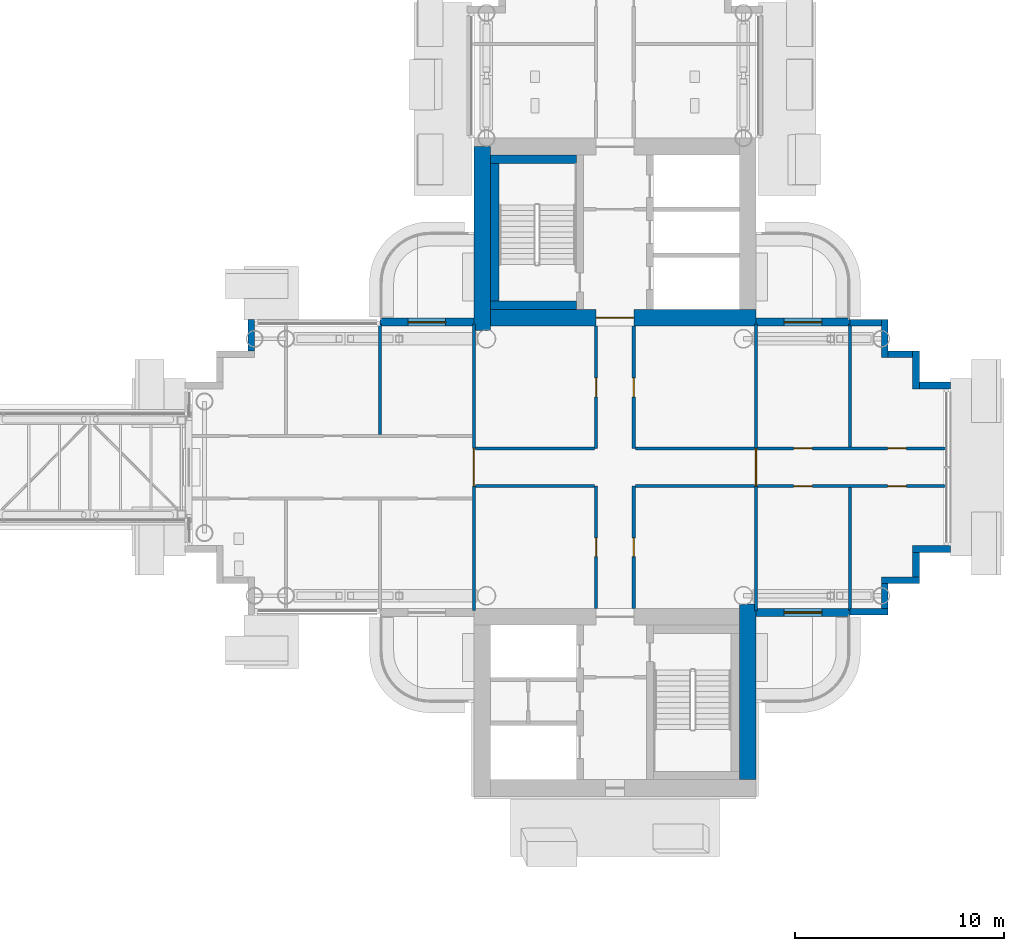
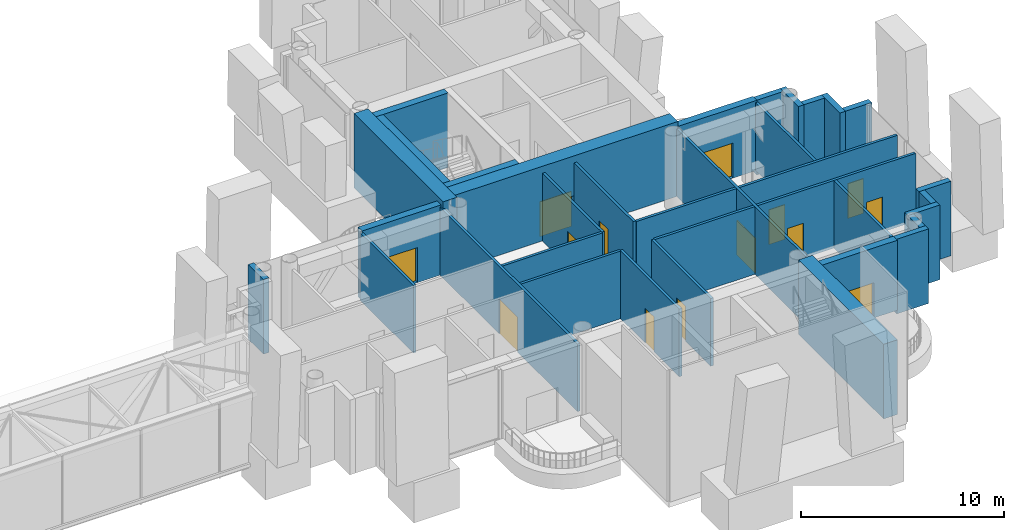
# One storey, part 16 of 26: 35 walls, 14 doors, 14 openings.
"""IFC4 building model written with IfcOpenShell, lengths in metres."""

import ifcopenshell
import ifcopenshell.guid

model = None  # the IFC model being written
_history = None  # IfcOwnerHistory: only IFC2X3 demands one
_inside = {}  # id of a spatial element -> (the spatial element, [elements in it])
_under = {}  # id of a project, library or spatial element -> (it, [spatial elements below it])
_declared = {}  # id of a project -> (the project, [libraries it declares])
_typed = {}  # id of a type object -> (the type object, [elements of that type])
_made_of = {}  # id of a material, layer set ... -> (it, [elements and type objects made of it])


def new_model(schema):
    """Start an empty IFC model of exactly this schema.

    Asked for "IFC4X3", IfcOpenShell would pick the latest addendum, in which some entities
    have other attributes; the version numbers below select the first issue.
    IFC2X3 requires an IfcOwnerHistory on every rooted entity: one is made here for all.
    """
    global model, _history
    if schema == "IFC4X3":
        model = ifcopenshell.file(schema_version=(4, 3, 0, 0))
    else:
        model = ifcopenshell.file(schema=schema)
    _inside.clear()
    _under.clear()
    _declared.clear()
    _typed.clear()
    _made_of.clear()
    _history = None
    if model.schema == "IFC2X3":
        org = make("IfcOrganization", Name="unknown")
        user = make(
            "IfcPersonAndOrganization",
            ThePerson=make("IfcPerson", FamilyName="unknown"),
            TheOrganization=org,
        )
        app = make(
            "IfcApplication",
            ApplicationDeveloper=org,
            Version="unknown",
            ApplicationFullName="unknown",
            ApplicationIdentifier="unknown",
        )
        _history = make(
            "IfcOwnerHistory",
            OwningUser=user,
            OwningApplication=app,
            ChangeAction="ADDED",
            CreationDate=0,
        )
    return model


def make(cls, **values):
    """One entity of the class cls with the attributes given. An attribute that is None is left unset."""
    return model.create_entity(
        cls, **{name: value for name, value in values.items() if value is not None}
    )


def rooted(cls, **values):
    """An entity with a GlobalId (a new one), such as an element, a storey or a relation."""
    return make(cls, GlobalId=ifcopenshell.guid.new(), OwnerHistory=_history, **values)


def si_unit(unit_type, name, prefix=None):
    """IfcSIUnit, for example si_unit("LENGTHUNIT", "METRE", prefix="MILLI")."""
    return make("IfcSIUnit", UnitType=unit_type, Prefix=prefix, Name=name)


def assignment(units):
    """IfcUnitAssignment: the units of a project."""
    return None if units is None else make("IfcUnitAssignment", Units=units)


def point(xyz):
    """IfcCartesianPoint."""
    return None if xyz is None else make("IfcCartesianPoint", Coordinates=xyz)


def direction(xyz):
    """IfcDirection."""
    return None if xyz is None else make("IfcDirection", DirectionRatios=xyz)


def frame(location, z_axis=None, x_axis=None):
    """IfcAxis2Placement3D, a coordinate frame: its origin and axes. An axis left out is left unset."""
    return make(
        "IfcAxis2Placement3D",
        Location=point(location),
        Axis=direction(z_axis),
        RefDirection=direction(x_axis),
    )


def frame_2d(location, x_axis=None):
    """IfcAxis2Placement2D, a coordinate frame in the plane: its origin and x axis."""
    return make(
        "IfcAxis2Placement2D", Location=point(location), RefDirection=direction(x_axis)
    )


def origin():
    """The frame at (0, 0, 0) with its axes left unset."""
    return frame((0.0, 0.0, 0.0))


def place(relative_to, where):
    """IfcLocalPlacement: puts the frame where relative to a parent placement (None: the world)."""
    return make(
        "IfcLocalPlacement", PlacementRelTo=relative_to, RelativePlacement=where
    )


def context(
    kind, dimensions, precision=None, world=None, true_north=None, identifier=None
):
    """IfcGeometricRepresentationContext, for example the 3D "Model" context."""
    return make(
        "IfcGeometricRepresentationContext",
        ContextIdentifier=identifier,
        ContextType=kind,
        CoordinateSpaceDimension=dimensions,
        Precision=precision,
        WorldCoordinateSystem=world,
        TrueNorth=true_north,
    )


def subcontext(parent, identifier, kind, view, scale=None):
    """IfcGeometricRepresentationSubContext, for example "Body" below "Model"."""
    return make(
        "IfcGeometricRepresentationSubContext",
        ContextIdentifier=identifier,
        ContextType=kind,
        ParentContext=parent,
        TargetScale=scale,
        TargetView=view,
    )


def project(units=None, contexts=None):
    """IfcProject with its units and contexts."""
    return rooted(
        "IfcProject",
        Name="project",
        RepresentationContexts=contexts,
        UnitsInContext=assignment(units),
    )


def spatial(cls, under=None, at=None, **own):
    """A site, building, storey or space (cls), placed at a placement, below another one or the project."""
    s = rooted(cls, ObjectPlacement=at, **own)
    if under is not None:
        _under.setdefault(under.id(), (under, []))[1].append(s)
    return s


def profile(cls, at=None, kind="AREA", **sizes):
    """A parametric profile (cls). Its sizes go by their IFC names, for example OverallWidth=200.0."""
    return make(cls, ProfileType=kind, Position=at, **sizes)


def rectangle(**sizes):
    """IfcRectangleProfileDef."""
    return profile("IfcRectangleProfileDef", **sizes)


def extrude(swept, where, along, depth):
    """IfcExtrudedAreaSolid: the profile swept, set in the frame where, extruded along a direction by depth."""
    return make(
        "IfcExtrudedAreaSolid",
        SweptArea=swept,
        Position=where,
        ExtrudedDirection=direction(along),
        Depth=depth,
    )


def shape(context_of_items, identifier, shape_type, items):
    """IfcShapeRepresentation: the items that make up one representation, for example the "Body"."""
    return make(
        "IfcShapeRepresentation",
        ContextOfItems=context_of_items,
        RepresentationIdentifier=identifier,
        RepresentationType=shape_type,
        Items=items,
    )


def material(Name=None, Category=None):
    """IfcMaterial."""
    return make("IfcMaterial", Name=Name, Category=Category)


def layer(
    of_material, thickness, ventilated=None, Name=None, Category=None, Priority=None
):
    """IfcMaterialLayer: one layer of a wall or slab, of a material (None: an air gap)."""
    return make(
        "IfcMaterialLayer",
        Material=of_material,
        LayerThickness=thickness,
        IsVentilated=ventilated,
        Name=Name,
        Category=Category,
        Priority=Priority,
    )


def layer_set(layers, Name=None):
    """IfcMaterialLayerSet."""
    return make("IfcMaterialLayerSet", MaterialLayers=layers, LayerSetName=Name)


def made_of(thing, what):
    """Note that an element or type object is made of a material, layer set ...; save() writes the relation."""
    if what is not None:
        _made_of.setdefault(what.id(), (what, []))[1].append(thing)
    return thing


def type_object(cls, material=None, **own):
    """A type object (cls), such as IfcWallType, which elements share."""
    return made_of(rooted(cls, **own), material)


def element(
    cls,
    number,
    at=None,
    inside=None,
    cuts=None,
    type_object=None,
    material=None,
    context=None,
    identifier="Body",
    shape_type=None,
    held_by="IfcProductDefinitionShape",
    body=None,
    shapes=None,
    **own,
):
    """One element of the class cls, such as IfcWall. Its Tag is "e" and its number.

    at: its placement. inside: the storey or other place that contains it. cuts: it is an
    opening in that element (IfcRelVoidsElement). A single representation is given by context,
    identifier, shape_type and body (its items); several are given by shapes. held_by: the class
    of the entity that holds the representations. save() writes the other relations.
    """
    e = rooted(cls, Tag="e%d" % number, ObjectPlacement=at, **own)
    if body is not None:
        shapes = [shape(context, identifier, shape_type, body)]
    if shapes is not None:
        e.Representation = make(held_by, Representations=shapes)
    if inside is not None:
        _inside.setdefault(inside.id(), (inside, []))[1].append(e)
    if cuts is not None:
        rooted(
            "IfcRelVoidsElement", RelatingBuildingElement=cuts, RelatedOpeningElement=e
        )
    if type_object is not None:
        _typed.setdefault(type_object.id(), (type_object, []))[1].append(e)
    return made_of(e, material)


def fill(opening, filler):
    """IfcRelFillsElement: the door or window that sits in an opening."""
    return rooted(
        "IfcRelFillsElement",
        RelatingOpeningElement=opening,
        RelatedBuildingElement=filler,
    )


def aggregate(whole, parts):
    """IfcRelAggregates: a whole, such as a stair, and the parts it consists of."""
    return rooted("IfcRelAggregates", RelatingObject=whole, RelatedObjects=parts)


def save(model, path):
    """Write the relations noted so far, then the file.

    IfcRelAggregates (storeys below a building ...), IfcRelContainedInSpatialStructure (elements
    in a storey), IfcRelDefinesByType, IfcRelAssociatesMaterial and IfcRelDeclares: one each for
    every whole, place, type object, material and project.
    """
    for whole, parts in _under.values():
        aggregate(whole, parts)
    for where, things in _inside.values():
        rooted(
            "IfcRelContainedInSpatialStructure",
            RelatedElements=things,
            RelatingStructure=where,
        )
    for kind, things in _typed.values():
        rooted("IfcRelDefinesByType", RelatedObjects=things, RelatingType=kind)
    for what, things in _made_of.values():
        rooted("IfcRelAssociatesMaterial", RelatedObjects=things, RelatingMaterial=what)
    for by, libraries in _declared.values():
        rooted("IfcRelDeclares", RelatingContext=by, RelatedDefinitions=libraries)
    model.write(path)


model = new_model("IFC4")

# Units and contexts
model_context = context("Model", 3, precision=1e-05, world=origin(), true_north=direction((0.0, 1.0)))
body_context = subcontext(model_context, "Body", "Model", "MODEL_VIEW")
ifc_project = project(units=[si_unit("LENGTHUNIT", "METRE"), si_unit("AREAUNIT", "SQUARE_METRE"), si_unit("VOLUMEUNIT", "CUBIC_METRE"), si_unit("PLANEANGLEUNIT", "RADIAN"), si_unit("MASSUNIT", "GRAM", prefix="KILO")], contexts=[model_context])

# Site, building, storey
site_placement = place(None, origin())
site = spatial("IfcSite", under=ifc_project, at=site_placement, CompositionType="ELEMENT")
building_placement = place(site_placement, origin())
building = spatial("IfcBuilding", under=site, at=building_placement, Name="Ipe Terrace Towers", CompositionType="ELEMENT")
storey_placement = place(building_placement, frame((0.0, 0.0, 181.300048828125)))
storey = spatial("IfcBuildingStorey", under=building, at=storey_placement, Name="L50", CompositionType="ELEMENT", Elevation=181.300048828125)

# Wall, opening, door
ifc_material_1 = material(Name="Concrete C40/50 with buff precast cladding", Category="concrete")
ifc_layer_1 = layer(ifc_material_1, 0.39990234375)
ifc_layer_set_1 = layer_set([ifc_layer_1], Name="BALCONY BAY WALL 400")
wall_type_1 = type_object("IfcWallType", Name="BALCONY BAY WALL 400", PredefinedType="STANDARD", material=ifc_layer_set_1)
wall_1_placement = place(storey_placement, frame((42.75, -6.949951171875, -0.02001953125), z_axis=(0.0, 0.0, 1.0), x_axis=(1.0, 0.0, 0.0)))
wall_1 = element("IfcWall", 1, at=wall_1_placement, inside=storey, type_object=wall_type_1, Name="T2-W-L50-02a wall", PredefinedType="STANDARD", context=body_context, shape_type="SweptSolid", body=[
    extrude(rectangle(XDim=4.5, YDim=0.39990234375, at=frame_2d((2.25, 0.0))), origin(), (0.0, 0.0, 1.0), 4.219970703125),
])
opening_1_placement = place(wall_1_placement, frame((1.35009765625, 0.0, 0.02001953125)))
opening_1 = element("IfcOpeningElement", 2, at=opening_1_placement, cuts=wall_1, Name="Opening T2-D-L50-02", PredefinedType="OPENING", context=body_context, shape_type="SweptSolid", body=[
    extrude(rectangle(XDim=1.800048828125, YDim=2.10009765625, at=frame_2d((0.89990234375, 1.050048828125))), frame((0.0, 0.2099609375, 0.0), z_axis=(0.0, -1.0, 0.0), x_axis=(1.0, 0.0, 0.0)), (0.0, 0.0, 1.0), 0.419921875),
])
ifc_material_2 = material(Name="Aluminium alloy 6063-T6 framed glazed door", Category="aluminium")
door_type_1 = type_object("IfcDoorType", Name="BALCONY DOOR 1800 x 2100 RIGHT", OperationType="SINGLE_SWING_RIGHT", PredefinedType="DOOR", material=ifc_material_2)
door_1_placement = place(opening_1_placement, origin())
door_1 = element("IfcDoor", 3, at=door_1_placement, inside=storey, type_object=door_type_1, Name="DB2 door", OperationType="SINGLE_SWING_RIGHT", OverallHeight=2.10009765625, OverallWidth=1.800048828125, PredefinedType="DOOR", context=body_context, shape_type="SweptSolid", body=[
    extrude(rectangle(XDim=1.800048828125, YDim=2.10009765625, at=frame_2d((0.89990234375, 1.050048828125))), frame((0.0, 0.02490234375, 0.0), z_axis=(0.0, -1.0, 0.0), x_axis=(1.0, 0.0, 0.0)), (0.0, 0.0, 1.0), 0.050048828125),
])
fill(opening_1, door_1)

wall_2_placement = place(storey_placement, frame((47.25, 6.949951171875, -0.02001953125), z_axis=(0.0, 0.0, 1.0), x_axis=(-1.0, 0.0, 0.0)))
wall_2 = element("IfcWall", 4, at=wall_2_placement, inside=storey, type_object=wall_type_1, Name="T2-W-L50-14a wall", PredefinedType="STANDARD", context=body_context, shape_type="SweptSolid", body=[
    extrude(rectangle(XDim=4.5, YDim=0.39990234375, at=frame_2d((2.25, 0.0))), origin(), (0.0, 0.0, 1.0), 4.219970703125),
])
opening_2_placement = place(wall_2_placement, frame((1.35009765625, 0.0, 0.02001953125)))
opening_2 = element("IfcOpeningElement", 5, at=opening_2_placement, cuts=wall_2, Name="Opening T2-D-L50-14", PredefinedType="OPENING", context=body_context, shape_type="SweptSolid", body=[
    extrude(rectangle(XDim=1.800048828125, YDim=2.10009765625, at=frame_2d((0.89990234375, 1.050048828125))), frame((0.0, 0.2099609375, 0.0), z_axis=(0.0, -1.0, 0.0), x_axis=(1.0, 0.0, 0.0)), (0.0, 0.0, 1.0), 0.419921875),
])
door_2_placement = place(opening_2_placement, origin())
door_2 = element("IfcDoor", 6, at=door_2_placement, inside=storey, type_object=door_type_1, Name="DB2 door", OperationType="SINGLE_SWING_RIGHT", OverallHeight=2.10009765625, OverallWidth=1.800048828125, PredefinedType="DOOR", context=body_context, shape_type="SweptSolid", body=[
    extrude(rectangle(XDim=1.800048828125, YDim=2.10009765625, at=frame_2d((0.89990234375, 1.050048828125))), frame((0.0, 0.02490234375, 0.0), z_axis=(0.0, -1.0, 0.0), x_axis=(1.0, 0.0, 0.0)), (0.0, 0.0, 1.0), 0.050048828125),
])
fill(opening_2, door_2)

wall_3_placement = place(storey_placement, frame((29.25, 6.949951171875, -0.02001953125), z_axis=(0.0, 0.0, 1.0), x_axis=(-1.0, 0.0, 0.0)))
wall_3 = element("IfcWall", 7, at=wall_3_placement, inside=storey, type_object=wall_type_1, Name="T2-W-L50-28a wall", PredefinedType="STANDARD", context=body_context, shape_type="SweptSolid", body=[
    extrude(rectangle(XDim=4.5, YDim=0.39990234375, at=frame_2d((2.25, 0.0))), origin(), (0.0, 0.0, 1.0), 4.219970703125),
])
opening_3_placement = place(wall_3_placement, frame((1.35009765625, 0.0, 0.02001953125)))
opening_3 = element("IfcOpeningElement", 8, at=opening_3_placement, cuts=wall_3, Name="Opening T2-D-L50-28", PredefinedType="OPENING", context=body_context, shape_type="SweptSolid", body=[
    extrude(rectangle(XDim=1.800048828125, YDim=2.10009765625, at=frame_2d((0.89990234375, 1.050048828125))), frame((0.0, 0.2099609375, 0.0), z_axis=(0.0, -1.0, 0.0), x_axis=(1.0, 0.0, 0.0)), (0.0, 0.0, 1.0), 0.419921875),
])
door_3_placement = place(opening_3_placement, origin())
door_3 = element("IfcDoor", 9, at=door_3_placement, inside=storey, type_object=door_type_1, Name="DB2 door", OperationType="SINGLE_SWING_RIGHT", OverallHeight=2.10009765625, OverallWidth=1.800048828125, PredefinedType="DOOR", context=body_context, shape_type="SweptSolid", body=[
    extrude(rectangle(XDim=1.800048828125, YDim=2.10009765625, at=frame_2d((0.89990234375, 1.050048828125))), frame((0.0, 0.02490234375, 0.0), z_axis=(0.0, -1.0, 0.0), x_axis=(1.0, 0.0, 0.0)), (0.0, 0.0, 1.0), 0.050048828125),
])
fill(opening_3, door_3)

# Walls
ifc_material_3 = material(Name="Concrete C40/50 with buff precast cladding", Category="concrete")
ifc_layer_2 = layer(ifc_material_3, 0.320068359375)
ifc_layer_set_2 = layer_set([ifc_layer_2], Name="BUFF CLADDING WALL 320")
wall_type_2 = type_object("IfcWallType", Name="BUFF CLADDING WALL 320", PredefinedType="STANDARD", material=ifc_layer_set_2)
wall_4_placement = place(storey_placement, frame((47.25, -6.909912109375, -0.300048828125), z_axis=(0.0, 0.0, 1.0), x_axis=(1.0, 0.0, 0.0)))
element("IfcWall", 10, at=wall_4_placement, inside=storey, type_object=wall_type_2, Name="T2-W-L50-03a wall", PredefinedType="STANDARD", context=body_context, shape_type="SweptSolid", body=[
    extrude(rectangle(XDim=1.820068359375, YDim=0.320068359375, at=frame_2d((0.91015625, 0.0))), origin(), (0.0, 0.0, 1.0), 4.5),
])
wall_5_placement = place(storey_placement, frame((48.909912109375, -6.75, -0.300048828125), z_axis=(0.0, 0.0, 1.0), x_axis=(0.0, 1.0, 0.0)))
element("IfcWall", 11, at=wall_5_placement, inside=storey, type_object=wall_type_2, Name="T2-W-L50-04a wall", PredefinedType="STANDARD", context=body_context, shape_type="SweptSolid", body=[
    extrude(rectangle(XDim=1.179931640625, YDim=0.320068359375, at=frame_2d((0.58984375, 0.0))), origin(), (0.0, 0.0, 1.0), 4.5),
])
wall_6_placement = place(storey_placement, frame((48.75, -5.409912109375, -0.300048828125), z_axis=(0.0, 0.0, 1.0), x_axis=(1.0, 0.0, 0.0)))
element("IfcWall", 12, at=wall_6_placement, inside=storey, type_object=wall_type_2, Name="T2-W-L50-05a wall", PredefinedType="STANDARD", context=body_context, shape_type="SweptSolid", body=[
    extrude(rectangle(XDim=1.820068359375, YDim=0.320068359375, at=frame_2d((0.91015625, 0.0))), origin(), (0.0, 0.0, 1.0), 4.5),
])
wall_7_placement = place(storey_placement, frame((50.409912109375, -5.25, -0.300048828125), z_axis=(0.0, 0.0, 1.0), x_axis=(0.0, 1.0, 0.0)))
element("IfcWall", 13, at=wall_7_placement, inside=storey, type_object=wall_type_2, Name="T2-W-L50-06a wall", PredefinedType="STANDARD", context=body_context, shape_type="SweptSolid", body=[
    extrude(rectangle(XDim=1.179931640625, YDim=0.320068359375, at=frame_2d((0.58984375, 0.0))), origin(), (0.0, 0.0, 1.0), 4.5),
])
wall_8_placement = place(storey_placement, frame((50.25, -3.909912109375, -0.300048828125), z_axis=(0.0, 0.0, 1.0), x_axis=(1.0, 0.0, 0.0)))
element("IfcWall", 14, at=wall_8_placement, inside=storey, type_object=wall_type_2, Name="T2-W-L50-07a wall", PredefinedType="STANDARD", context=body_context, shape_type="SweptSolid", body=[
    extrude(rectangle(XDim=1.820068359375, YDim=0.320068359375, at=frame_2d((0.91015625, 0.0))), origin(), (0.0, 0.0, 1.0), 4.5),
])
wall_9_placement = place(storey_placement, frame((52.070068359375, 3.909912109375, -0.300048828125), z_axis=(0.0, 0.0, 1.0), x_axis=(-1.0, 0.0, 0.0)))
element("IfcWall", 15, at=wall_9_placement, inside=storey, type_object=wall_type_2, Name="T2-W-L50-09a wall", PredefinedType="STANDARD", context=body_context, shape_type="SweptSolid", body=[
    extrude(rectangle(XDim=1.5, YDim=0.320068359375, at=frame_2d((0.75, 0.0))), origin(), (0.0, 0.0, 1.0), 4.5),
])
wall_10_placement = place(storey_placement, frame((50.409912109375, 3.75, -0.300048828125), z_axis=(0.0, 0.0, 1.0), x_axis=(0.0, 1.0, 0.0)))
element("IfcWall", 16, at=wall_10_placement, inside=storey, type_object=wall_type_2, Name="T2-W-L50-10a wall", PredefinedType="STANDARD", context=body_context, shape_type="SweptSolid", body=[
    extrude(rectangle(XDim=1.820068359375, YDim=0.320068359375, at=frame_2d((0.91015625, 0.0))), origin(), (0.0, 0.0, 1.0), 4.5),
])
wall_11_placement = place(storey_placement, frame((50.25, 5.409912109375, -0.300048828125), z_axis=(0.0, 0.0, 1.0), x_axis=(-1.0, 0.0, 0.0)))
element("IfcWall", 17, at=wall_11_placement, inside=storey, type_object=wall_type_2, Name="T2-W-L50-11a wall", PredefinedType="STANDARD", context=body_context, shape_type="SweptSolid", body=[
    extrude(rectangle(XDim=1.179931640625, YDim=0.320068359375, at=frame_2d((0.58984375, 0.0))), origin(), (0.0, 0.0, 1.0), 4.5),
])
wall_12_placement = place(storey_placement, frame((48.909912109375, 5.25, -0.300048828125), z_axis=(0.0, 0.0, 1.0), x_axis=(0.0, 1.0, 0.0)))
element("IfcWall", 18, at=wall_12_placement, inside=storey, type_object=wall_type_2, Name="T2-W-L50-12a wall", PredefinedType="STANDARD", context=body_context, shape_type="SweptSolid", body=[
    extrude(rectangle(XDim=1.820068359375, YDim=0.320068359375, at=frame_2d((0.91015625, 0.0))), origin(), (0.0, 0.0, 1.0), 4.5),
])
for number, where, z_axis, x_axis, name in (
    (19, (48.75, 6.909912109375, -0.300048828125), (0.0, 0.0, 1.0), (-1.0, 0.0, 0.0), "T2-W-L50-13a wall"),
    (20, (18.590087890625, 7.070068359375, -0.300048828125), (0.0, 0.0, 1.0), (0.0, -1.0, 0.0), "T2-W-L50-30a wall"),
):
    element("IfcWall", number, at=place(storey_placement, frame(where, z_axis=z_axis, x_axis=x_axis)), inside=storey, type_object=wall_type_2, Name=name, PredefinedType="STANDARD", context=body_context, shape_type="SweptSolid", body=[
        extrude(rectangle(XDim=1.5, YDim=0.320068359375, at=frame_2d((0.75, 0.0))), origin(), (0.0, 0.0, 1.0), 4.5),
    ])

# Wall, opening, door
ifc_material_4 = material(Name="Gypsum board partition", Category="plasterboard")
ifc_layer_3 = layer(ifc_material_4, 0.14990234375)
ifc_layer_set_3 = layer_set([ifc_layer_3], Name="Gypsum board partition 150 mm")
wall_type_3 = type_object("IfcWallType", Name="Gypsum board partition 150 mm", PredefinedType="PARTITIONING", material=ifc_layer_set_3)
wall_13_placement = place(storey_placement, frame((35.10009765625, 0.89990234375, 0.0), z_axis=(0.0, 0.0, 1.0), x_axis=(0.0, 1.0, 0.0)))
wall_13 = element("IfcWall", 21, at=wall_13_placement, inside=storey, type_object=wall_type_3, Name="Gypsum board partition T2 L50 sp-hub-qen-x", PredefinedType="PARTITIONING", context=body_context, shape_type="SweptSolid", body=[
    extrude(rectangle(XDim=5.85009765625, YDim=0.14990234375, at=frame_2d((2.925048828125, 0.0))), origin(), (0.0, 0.0, 1.0), 4.079833984375),
])
opening_4_placement = place(wall_13_placement, frame((2.47509765625, 0.0, 0.0)))
opening_4 = element("IfcOpeningElement", 22, at=opening_4_placement, cuts=wall_13, Name="Opening T2-SP-HEN", PredefinedType="OPENING", context=body_context, shape_type="SweptSolid", body=[
    extrude(rectangle(XDim=0.89990234375, YDim=2.10009765625, at=frame_2d((0.449951171875, 1.050048828125))), frame((0.0, 0.0849609375, 0.0), z_axis=(0.0, -1.0, 0.0), x_axis=(1.0, 0.0, 0.0)), (0.0, 0.0, 1.0), 0.169921875),
])
ifc_material_5 = material(Name="Fire-rated timber door leaf", Category="wood")
door_type_2 = type_object("IfcDoorType", Name="Lounge door 900 x 2100 FD30S", OperationType="NOTDEFINED", PredefinedType="DOOR", material=ifc_material_5)
door_4_placement = place(opening_4_placement, origin())
door_4 = element("IfcDoor", 23, at=door_4_placement, inside=storey, type_object=door_type_2, Name="Lounge door T2-SP-HEN", OperationType="SINGLE_SWING_LEFT", OverallHeight=2.10009765625, OverallWidth=0.89990234375, PredefinedType="DOOR", context=body_context, shape_type="SweptSolid", body=[
    extrude(rectangle(XDim=0.89990234375, YDim=2.10009765625, at=frame_2d((0.449951171875, 1.050048828125))), frame((0.0, 0.02490234375, 0.0), z_axis=(0.0, -1.0, 0.0), x_axis=(1.0, 0.0, 0.0)), (0.0, 0.0, 1.0), 0.050048828125),
])
fill(opening_4, door_4)

# Wall
wall_14_placement = place(storey_placement, frame((35.02490234375, 0.89990234375, 0.0), z_axis=(0.0, 0.0, 1.0), x_axis=(-1.0, 0.0, 0.0)))
element("IfcWall", 24, at=wall_14_placement, inside=storey, type_object=wall_type_3, Name="Gypsum board partition T2 L50 sp-hub-qen-y", PredefinedType="PARTITIONING", context=body_context, shape_type="SweptSolid", body=[
    extrude(rectangle(XDim=5.699951171875, YDim=0.14990234375, at=frame_2d((2.85009765625, 0.0))), origin(), (0.0, 0.0, 1.0), 4.079833984375),
])

# Wall, opening, door
wall_15_placement = place(storey_placement, frame((36.89990234375, 0.89990234375, 0.0), z_axis=(0.0, 0.0, 1.0), x_axis=(0.0, 1.0, 0.0)))
wall_15 = element("IfcWall", 25, at=wall_15_placement, inside=storey, type_object=wall_type_3, Name="Gypsum board partition T2 L50 sp-hub-qes-x", PredefinedType="PARTITIONING", context=body_context, shape_type="SweptSolid", body=[
    extrude(rectangle(XDim=5.85009765625, YDim=0.14990234375, at=frame_2d((2.925048828125, 0.0))), origin(), (0.0, 0.0, 1.0), 4.079833984375),
])
opening_5_placement = place(wall_15_placement, frame((2.47509765625, 0.0, 0.0)))
opening_5 = element("IfcOpeningElement", 26, at=opening_5_placement, cuts=wall_15, Name="Opening T2-SP-HES", PredefinedType="OPENING", context=body_context, shape_type="SweptSolid", body=[
    extrude(rectangle(XDim=0.89990234375, YDim=2.10009765625, at=frame_2d((0.449951171875, 1.050048828125))), frame((0.0, 0.0849609375, 0.0), z_axis=(0.0, -1.0, 0.0), x_axis=(1.0, 0.0, 0.0)), (0.0, 0.0, 1.0), 0.169921875),
])
door_5_placement = place(opening_5_placement, origin())
door_5 = element("IfcDoor", 27, at=door_5_placement, inside=storey, type_object=door_type_2, Name="Lounge door T2-SP-HES", OperationType="SINGLE_SWING_RIGHT", OverallHeight=2.10009765625, OverallWidth=0.89990234375, PredefinedType="DOOR", context=body_context, shape_type="SweptSolid", body=[
    extrude(rectangle(XDim=0.89990234375, YDim=2.10009765625, at=frame_2d((0.449951171875, 1.050048828125))), frame((0.0, 0.02490234375, 0.0), z_axis=(0.0, -1.0, 0.0), x_axis=(1.0, 0.0, 0.0)), (0.0, 0.0, 1.0), 0.050048828125),
])
fill(opening_5, door_5)

# Wall
wall_16_placement = place(storey_placement, frame((42.675048828125, 0.89990234375, 0.0), z_axis=(0.0, 0.0, 1.0), x_axis=(-1.0, 0.0, 0.0)))
element("IfcWall", 28, at=wall_16_placement, inside=storey, type_object=wall_type_3, Name="Gypsum board partition T2 L50 sp-hub-qes-y", PredefinedType="PARTITIONING", context=body_context, shape_type="SweptSolid", body=[
    extrude(rectangle(XDim=5.699951171875, YDim=0.14990234375, at=frame_2d((2.85009765625, 0.0))), origin(), (0.0, 0.0, 1.0), 4.079833984375),
])

# Wall, opening, door
wall_17_placement = place(storey_placement, frame((35.10009765625, -6.75, 0.0), z_axis=(0.0, 0.0, 1.0), x_axis=(0.0, 1.0, 0.0)))
wall_17 = element("IfcWall", 29, at=wall_17_placement, inside=storey, type_object=wall_type_3, Name="Gypsum board partition T2 L50 sp-hub-qwn-x", PredefinedType="PARTITIONING", context=body_context, shape_type="SweptSolid", body=[
    extrude(rectangle(XDim=5.85009765625, YDim=0.14990234375, at=frame_2d((2.925048828125, 0.0))), origin(), (0.0, 0.0, 1.0), 4.079833984375),
])
opening_6_placement = place(wall_17_placement, frame((2.47509765625, 0.0, 0.0)))
opening_6 = element("IfcOpeningElement", 30, at=opening_6_placement, cuts=wall_17, Name="Opening T2-SP-HWN", PredefinedType="OPENING", context=body_context, shape_type="SweptSolid", body=[
    extrude(rectangle(XDim=0.89990234375, YDim=2.10009765625, at=frame_2d((0.449951171875, 1.050048828125))), frame((0.0, 0.0849609375, 0.0), z_axis=(0.0, -1.0, 0.0), x_axis=(1.0, 0.0, 0.0)), (0.0, 0.0, 1.0), 0.169921875),
])
door_6_placement = place(opening_6_placement, origin())
door_6 = element("IfcDoor", 31, at=door_6_placement, inside=storey, type_object=door_type_2, Name="Lounge door T2-SP-HWN", OperationType="SINGLE_SWING_LEFT", OverallHeight=2.10009765625, OverallWidth=0.89990234375, PredefinedType="DOOR", context=body_context, shape_type="SweptSolid", body=[
    extrude(rectangle(XDim=0.89990234375, YDim=2.10009765625, at=frame_2d((0.449951171875, 1.050048828125))), frame((0.0, 0.02490234375, 0.0), z_axis=(0.0, -1.0, 0.0), x_axis=(1.0, 0.0, 0.0)), (0.0, 0.0, 1.0), 0.050048828125),
])
fill(opening_6, door_6)

# Wall
wall_18_placement = place(storey_placement, frame((35.02490234375, -0.89990234375, 0.0), z_axis=(0.0, 0.0, 1.0), x_axis=(-1.0, 0.0, 0.0)))
element("IfcWall", 32, at=wall_18_placement, inside=storey, type_object=wall_type_3, Name="Gypsum board partition T2 L50 sp-hub-qwn-y", PredefinedType="PARTITIONING", context=body_context, shape_type="SweptSolid", body=[
    extrude(rectangle(XDim=5.699951171875, YDim=0.14990234375, at=frame_2d((2.85009765625, 0.0))), origin(), (0.0, 0.0, 1.0), 4.079833984375),
])

# Wall, opening, door
wall_19_placement = place(storey_placement, frame((36.89990234375, -6.75, 0.0), z_axis=(0.0, 0.0, 1.0), x_axis=(0.0, 1.0, 0.0)))
wall_19 = element("IfcWall", 33, at=wall_19_placement, inside=storey, type_object=wall_type_3, Name="Gypsum board partition T2 L50 sp-hub-qws-x", PredefinedType="PARTITIONING", context=body_context, shape_type="SweptSolid", body=[
    extrude(rectangle(XDim=5.85009765625, YDim=0.14990234375, at=frame_2d((2.925048828125, 0.0))), origin(), (0.0, 0.0, 1.0), 4.079833984375),
])
opening_7_placement = place(wall_19_placement, frame((2.47509765625, 0.0, 0.0)))
opening_7 = element("IfcOpeningElement", 34, at=opening_7_placement, cuts=wall_19, Name="Opening T2-SP-HWS", PredefinedType="OPENING", context=body_context, shape_type="SweptSolid", body=[
    extrude(rectangle(XDim=0.89990234375, YDim=2.10009765625, at=frame_2d((0.449951171875, 1.050048828125))), frame((0.0, 0.0849609375, 0.0), z_axis=(0.0, -1.0, 0.0), x_axis=(1.0, 0.0, 0.0)), (0.0, 0.0, 1.0), 0.169921875),
])
door_7_placement = place(opening_7_placement, origin())
door_7 = element("IfcDoor", 35, at=door_7_placement, inside=storey, type_object=door_type_2, Name="Lounge door T2-SP-HWS", OperationType="SINGLE_SWING_RIGHT", OverallHeight=2.10009765625, OverallWidth=0.89990234375, PredefinedType="DOOR", context=body_context, shape_type="SweptSolid", body=[
    extrude(rectangle(XDim=0.89990234375, YDim=2.10009765625, at=frame_2d((0.449951171875, 1.050048828125))), frame((0.0, 0.02490234375, 0.0), z_axis=(0.0, -1.0, 0.0), x_axis=(1.0, 0.0, 0.0)), (0.0, 0.0, 1.0), 0.050048828125),
])
fill(opening_7, door_7)

# Wall
wall_20_placement = place(storey_placement, frame((42.675048828125, -0.89990234375, 0.0), z_axis=(0.0, 0.0, 1.0), x_axis=(-1.0, 0.0, 0.0)))
element("IfcWall", 36, at=wall_20_placement, inside=storey, type_object=wall_type_3, Name="Gypsum board partition T2 L50 sp-hub-qws-y", PredefinedType="PARTITIONING", context=body_context, shape_type="SweptSolid", body=[
    extrude(rectangle(XDim=5.699951171875, YDim=0.14990234375, at=frame_2d((2.85009765625, 0.0))), origin(), (0.0, 0.0, 1.0), 4.079833984375),
])

# Wall, opening, door
wall_21_placement = place(storey_placement, frame((29.25, -6.85009765625, 0.0), z_axis=(0.0, 0.0, 1.0), x_axis=(0.0, 1.0, 0.0)))
wall_21 = element("IfcWall", 37, at=wall_21_placement, inside=storey, type_object=wall_type_3, Name="Gypsum board partition T2 L50 sp-Sp-mouth", PredefinedType="PARTITIONING", context=body_context, shape_type="SweptSolid", body=[
    extrude(rectangle(XDim=13.7001953125, YDim=0.14990234375, at=frame_2d((6.85009765625, 0.0))), origin(), (0.0, 0.0, 1.0), 4.079833984375),
])
opening_8_placement = place(wall_21_placement, frame((5.949951171875, 0.0, 0.0)))
opening_8 = element("IfcOpeningElement", 38, at=opening_8_placement, cuts=wall_21, Name="Opening T2-SP-MSp", PredefinedType="OPENING", context=body_context, shape_type="SweptSolid", body=[
    extrude(rectangle(XDim=1.800048828125, YDim=2.10009765625, at=frame_2d((0.89990234375, 1.050048828125))), frame((0.0, 0.0849609375, 0.0), z_axis=(0.0, -1.0, 0.0), x_axis=(1.0, 0.0, 0.0)), (0.0, 0.0, 1.0), 0.169921875),
])
ifc_material_6 = material(Name="Fire-rated timber door leaf", Category="wood")
door_type_3 = type_object("IfcDoorType", Name="Lobby door 1800 x 2100 FD30S", OperationType="NOTDEFINED", PredefinedType="DOOR", material=ifc_material_6)
door_8_placement = place(opening_8_placement, origin())
door_8 = element("IfcDoor", 39, at=door_8_placement, inside=storey, type_object=door_type_3, Name="Lobby door T2-SP-MSp", OperationType="SINGLE_SWING_LEFT", OverallHeight=2.10009765625, OverallWidth=1.800048828125, PredefinedType="DOOR", context=body_context, shape_type="SweptSolid", body=[
    extrude(rectangle(XDim=1.800048828125, YDim=2.10009765625, at=frame_2d((0.89990234375, 1.050048828125))), frame((0.0, 0.02490234375, 0.0), z_axis=(0.0, -1.0, 0.0), x_axis=(1.0, 0.0, 0.0)), (0.0, 0.0, 1.0), 0.050048828125),
])
fill(opening_8, door_8)

# Wall
wall_22_placement = place(storey_placement, frame((24.75, 1.574951171875, 0.0), z_axis=(0.0, 0.0, 1.0), x_axis=(0.0, 1.0, 0.0)))
element("IfcWall", 40, at=wall_22_placement, inside=storey, type_object=wall_type_3, Name="Gypsum board partition T2 L50 sp-Sp-dp1", PredefinedType="PARTITIONING", context=body_context, shape_type="SweptSolid", body=[
    extrude(rectangle(XDim=5.275146484375, YDim=0.14990234375, at=frame_2d((2.6376953125, 0.0))), origin(), (0.0, 0.0, 1.0), 4.079833984375),
])

# Wall, opening, door
wall_23_placement = place(storey_placement, frame((42.75, -6.85009765625, 0.0), z_axis=(0.0, 0.0, 1.0), x_axis=(0.0, 1.0, 0.0)))
wall_23 = element("IfcWall", 41, at=wall_23_placement, inside=storey, type_object=wall_type_3, Name="Gypsum board partition T2 L50 sp-Sm-mouth", PredefinedType="PARTITIONING", context=body_context, shape_type="SweptSolid", body=[
    extrude(rectangle(XDim=13.7001953125, YDim=0.14990234375, at=frame_2d((6.85009765625, 0.0))), origin(), (0.0, 0.0, 1.0), 4.079833984375),
])
opening_9_placement = place(wall_23_placement, frame((5.949951171875, 0.0, 0.0)))
opening_9 = element("IfcOpeningElement", 42, at=opening_9_placement, cuts=wall_23, Name="Opening T2-SP-MSm", PredefinedType="OPENING", context=body_context, shape_type="SweptSolid", body=[
    extrude(rectangle(XDim=1.800048828125, YDim=2.10009765625, at=frame_2d((0.89990234375, 1.050048828125))), frame((0.0, 0.0849609375, 0.0), z_axis=(0.0, -1.0, 0.0), x_axis=(1.0, 0.0, 0.0)), (0.0, 0.0, 1.0), 0.169921875),
])
door_9_placement = place(opening_9_placement, origin())
door_9 = element("IfcDoor", 43, at=door_9_placement, inside=storey, type_object=door_type_3, Name="Lobby door T2-SP-MSm", OperationType="SINGLE_SWING_RIGHT", OverallHeight=2.10009765625, OverallWidth=1.800048828125, PredefinedType="DOOR", context=body_context, shape_type="SweptSolid", body=[
    extrude(rectangle(XDim=1.800048828125, YDim=2.10009765625, at=frame_2d((0.89990234375, 1.050048828125))), frame((0.0, 0.02490234375, 0.0), z_axis=(0.0, -1.0, 0.0), x_axis=(1.0, 0.0, 0.0)), (0.0, 0.0, 1.0), 0.050048828125),
])
fill(opening_9, door_9)

# Wall, openings, doors
wall_24_placement = place(storey_placement, frame((51.85009765625, 0.89990234375, 0.0), z_axis=(0.0, 0.0, 1.0), x_axis=(-1.0, 0.0, 0.0)))
wall_24 = element("IfcWall", 44, at=wall_24_placement, inside=storey, type_object=wall_type_3, Name="Gypsum board partition T2 L50 sp-Sm-wp", PredefinedType="PARTITIONING", context=body_context, shape_type="SweptSolid", body=[
    extrude(rectangle(XDim=9.025146484375, YDim=0.14990234375, at=frame_2d((4.5126953125, 0.0))), origin(), (0.0, 0.0, 1.0), 4.079833984375),
])
opening_10_placement = place(wall_24_placement, frame((1.89990234375, 0.0, 0.0)))
opening_10 = element("IfcOpeningElement", 45, at=opening_10_placement, cuts=wall_24, Name="Opening T2-SP-PSm1", PredefinedType="OPENING", context=body_context, shape_type="SweptSolid", body=[
    extrude(rectangle(XDim=0.89990234375, YDim=2.10009765625, at=frame_2d((0.449951171875, 1.050048828125))), frame((0.0, 0.0849609375, 0.0), z_axis=(0.0, -1.0, 0.0), x_axis=(1.0, 0.0, 0.0)), (0.0, 0.0, 1.0), 0.169921875),
])
opening_11_placement = place(wall_24_placement, frame((6.39990234375, 0.0, 0.0)))
opening_11 = element("IfcOpeningElement", 46, at=opening_11_placement, cuts=wall_24, Name="Opening T2-SP-PSm2", PredefinedType="OPENING", context=body_context, shape_type="SweptSolid", body=[
    extrude(rectangle(XDim=0.89990234375, YDim=2.10009765625, at=frame_2d((0.449951171875, 1.050048828125))), frame((0.0, 0.0849609375, 0.0), z_axis=(0.0, -1.0, 0.0), x_axis=(1.0, 0.0, 0.0)), (0.0, 0.0, 1.0), 0.169921875),
])
door_10_placement = place(opening_10_placement, origin())
door_10 = element("IfcDoor", 47, at=door_10_placement, inside=storey, type_object=door_type_2, Name="Lounge door T2-SP-PSm1", OperationType="SINGLE_SWING_LEFT", OverallHeight=2.10009765625, OverallWidth=0.89990234375, PredefinedType="DOOR", context=body_context, shape_type="SweptSolid", body=[
    extrude(rectangle(XDim=0.89990234375, YDim=2.10009765625, at=frame_2d((0.449951171875, 1.050048828125))), frame((0.0, 0.02490234375, 0.0), z_axis=(0.0, -1.0, 0.0), x_axis=(1.0, 0.0, 0.0)), (0.0, 0.0, 1.0), 0.050048828125),
])
fill(opening_10, door_10)
door_11_placement = place(opening_11_placement, origin())
door_11 = element("IfcDoor", 48, at=door_11_placement, inside=storey, type_object=door_type_2, Name="Lounge door T2-SP-PSm2", OperationType="SINGLE_SWING_RIGHT", OverallHeight=2.10009765625, OverallWidth=0.89990234375, PredefinedType="DOOR", context=body_context, shape_type="SweptSolid", body=[
    extrude(rectangle(XDim=0.89990234375, YDim=2.10009765625, at=frame_2d((0.449951171875, 1.050048828125))), frame((0.0, 0.02490234375, 0.0), z_axis=(0.0, -1.0, 0.0), x_axis=(1.0, 0.0, 0.0)), (0.0, 0.0, 1.0), 0.050048828125),
])
fill(opening_11, door_11)

# Wall
wall_25_placement = place(storey_placement, frame((47.25, 0.97509765625, 0.0), z_axis=(0.0, 0.0, 1.0), x_axis=(0.0, 1.0, 0.0)))
element("IfcWall", 49, at=wall_25_placement, inside=storey, type_object=wall_type_3, Name="Gypsum board partition T2 L50 sp-Sm-dp1", PredefinedType="PARTITIONING", context=body_context, shape_type="SweptSolid", body=[
    extrude(rectangle(XDim=5.875, YDim=0.14990234375, at=frame_2d((2.9375, 0.0))), origin(), (0.0, 0.0, 1.0), 4.079833984375),
])

# Wall, openings, doors
wall_26_placement = place(storey_placement, frame((51.85009765625, -0.89990234375, 0.0), z_axis=(0.0, 0.0, 1.0), x_axis=(-1.0, 0.0, 0.0)))
wall_26 = element("IfcWall", 50, at=wall_26_placement, inside=storey, type_object=wall_type_3, Name="Gypsum board partition T2 L50 sp-Sm-wm", PredefinedType="PARTITIONING", context=body_context, shape_type="SweptSolid", body=[
    extrude(rectangle(XDim=9.025146484375, YDim=0.14990234375, at=frame_2d((4.5126953125, 0.0))), origin(), (0.0, 0.0, 1.0), 4.079833984375),
])
opening_12_placement = place(wall_26_placement, frame((1.89990234375, 0.0, 0.0)))
opening_12 = element("IfcOpeningElement", 51, at=opening_12_placement, cuts=wall_26, Name="Opening T2-SP-MSm1", PredefinedType="OPENING", context=body_context, shape_type="SweptSolid", body=[
    extrude(rectangle(XDim=0.89990234375, YDim=2.10009765625, at=frame_2d((0.449951171875, 1.050048828125))), frame((0.0, 0.0849609375, 0.0), z_axis=(0.0, -1.0, 0.0), x_axis=(1.0, 0.0, 0.0)), (0.0, 0.0, 1.0), 0.169921875),
])
opening_13_placement = place(wall_26_placement, frame((6.39990234375, 0.0, 0.0)))
opening_13 = element("IfcOpeningElement", 52, at=opening_13_placement, cuts=wall_26, Name="Opening T2-SP-MSm2", PredefinedType="OPENING", context=body_context, shape_type="SweptSolid", body=[
    extrude(rectangle(XDim=0.89990234375, YDim=2.10009765625, at=frame_2d((0.449951171875, 1.050048828125))), frame((0.0, 0.0849609375, 0.0), z_axis=(0.0, -1.0, 0.0), x_axis=(1.0, 0.0, 0.0)), (0.0, 0.0, 1.0), 0.169921875),
])
door_12_placement = place(opening_12_placement, origin())
door_12 = element("IfcDoor", 53, at=door_12_placement, inside=storey, type_object=door_type_2, Name="Lounge door T2-SP-MSm1", OperationType="SINGLE_SWING_RIGHT", OverallHeight=2.10009765625, OverallWidth=0.89990234375, PredefinedType="DOOR", context=body_context, shape_type="SweptSolid", body=[
    extrude(rectangle(XDim=0.89990234375, YDim=2.10009765625, at=frame_2d((0.449951171875, 1.050048828125))), frame((0.0, 0.02490234375, 0.0), z_axis=(0.0, -1.0, 0.0), x_axis=(1.0, 0.0, 0.0)), (0.0, 0.0, 1.0), 0.050048828125),
])
fill(opening_12, door_12)
door_13_placement = place(opening_13_placement, origin())
door_13 = element("IfcDoor", 54, at=door_13_placement, inside=storey, type_object=door_type_2, Name="Lounge door T2-SP-MSm2", OperationType="SINGLE_SWING_LEFT", OverallHeight=2.10009765625, OverallWidth=0.89990234375, PredefinedType="DOOR", context=body_context, shape_type="SweptSolid", body=[
    extrude(rectangle(XDim=0.89990234375, YDim=2.10009765625, at=frame_2d((0.449951171875, 1.050048828125))), frame((0.0, 0.02490234375, 0.0), z_axis=(0.0, -1.0, 0.0), x_axis=(1.0, 0.0, 0.0)), (0.0, 0.0, 1.0), 0.050048828125),
])
fill(opening_13, door_13)

# Walls
wall_27_placement = place(storey_placement, frame((47.25, -0.97509765625, 0.0), z_axis=(0.0, 0.0, 1.0), x_axis=(0.0, -1.0, 0.0)))
element("IfcWall", 55, at=wall_27_placement, inside=storey, type_object=wall_type_3, Name="Gypsum board partition T2 L50 sp-Sm-dm1", PredefinedType="PARTITIONING", context=body_context, shape_type="SweptSolid", body=[
    extrude(rectangle(XDim=5.875, YDim=0.14990234375, at=frame_2d((2.9375, 0.0))), origin(), (0.0, 0.0, 1.0), 4.079833984375),
])
ifc_material_7 = material(Name="Concrete C50/60", Category="concrete")
ifc_layer_4 = layer(ifc_material_7, 0.39990234375)
ifc_layer_set_4 = layer_set([ifc_layer_4], Name="RW400 CORE INFILL WALL 400 C50-60")
wall_type_4 = type_object("IfcWallType", Name="RW400 CORE INFILL WALL 400 C50-60", PredefinedType="SHEAR", material=ifc_layer_set_4)
wall_28_placement = place(storey_placement, frame((34.14990234375, 14.75, 0.0), z_axis=(0.0, 0.0, 1.0), x_axis=(-1.0, 0.0, 0.0)))
element("IfcWall", 56, at=wall_28_placement, inside=storey, type_object=wall_type_4, Name="Core infill wall T2-C1-far", PredefinedType="SHEAR", context=body_context, shape_type="SweptSolid", body=[
    extrude(rectangle(XDim=4.099853515625, YDim=0.39990234375, at=frame_2d((2.0498046875, 0.0))), origin(), (0.0, 0.0, 1.0), 4.5),
])
wall_29_placement = place(storey_placement, frame((30.25, 7.949951171875, 0.0), z_axis=(0.0, 0.0, 1.0), x_axis=(0.0, 1.0, 0.0)))
element("IfcWall", 57, at=wall_29_placement, inside=storey, type_object=wall_type_4, Name="Core infill wall T2-C1-back", PredefinedType="SHEAR", context=body_context, shape_type="SweptSolid", body=[
    extrude(rectangle(XDim=6.60009765625, YDim=0.39990234375, at=frame_2d((3.300048828125, 0.0))), origin(), (0.0, 0.0, 1.0), 4.5),
])
wall_30_placement = place(storey_placement, frame((34.14990234375, 7.75, 0.0), z_axis=(0.0, 0.0, 1.0), x_axis=(-1.0, 0.0, 0.0)))
element("IfcWall", 58, at=wall_30_placement, inside=storey, type_object=wall_type_4, Name="Core infill wall T2-C1-near", PredefinedType="SHEAR", context=body_context, shape_type="SweptSolid", body=[
    extrude(rectangle(XDim=4.099853515625, YDim=0.39990234375, at=frame_2d((2.0498046875, 0.0))), origin(), (0.0, 0.0, 1.0), 4.5),
])

# Wall, opening, door
ifc_material_8 = material(Name="Concrete C50/60", Category="concrete")
ifc_layer_5 = layer(ifc_material_8, 0.800048828125)
ifc_layer_set_5 = layer_set([ifc_layer_5], Name="RW800 CORE WALL 800 C50-60")
wall_type_5 = type_object("IfcWallType", Name="RW800 CORE WALL 800 C50-60", PredefinedType="SHEAR", material=ifc_layer_set_5)
wall_31_placement = place(storey_placement, frame((30.050048828125, 7.14990234375, 0.0), z_axis=(0.0, 0.0, 1.0), x_axis=(1.0, 0.0, 0.0)))
wall_31 = element("IfcWall", 59, at=wall_31_placement, inside=storey, type_object=wall_type_5, Name="Core wall T2-C1-Z3-W01", PredefinedType="SHEAR", context=body_context, shape_type="SweptSolid", body=[
    extrude(rectangle(XDim=12.699951171875, YDim=0.800048828125, at=frame_2d((6.35009765625, 0.0))), origin(), (0.0, 0.0, 1.0), 4.5),
])
opening_14_placement = place(wall_31_placement, frame((5.050048828125, 0.0, 0.0)))
opening_14 = element("IfcOpeningElement", 60, at=opening_14_placement, cuts=wall_31, Name="Opening T2C1-ND", PredefinedType="OPENING", context=body_context, shape_type="SweptSolid", body=[
    extrude(rectangle(XDim=1.800048828125, YDim=2.10009765625, at=frame_2d((0.89990234375, 1.050048828125))), frame((0.0, 0.41015625, 0.0), z_axis=(0.0, -1.0, 0.0), x_axis=(1.0, 0.0, 0.0)), (0.0, 0.0, 1.0), 0.820068359375),
])
ifc_material_9 = material(Name="Fire-rated timber door leaf", Category="wood")
door_type_4 = type_object("IfcDoorType", Name="Fire door 1800 x 2100 FD30S", OperationType="NOTDEFINED", PredefinedType="DOOR", material=ifc_material_9)
door_14_placement = place(opening_14_placement, origin())
door_14 = element("IfcDoor", 61, at=door_14_placement, inside=storey, type_object=door_type_4, Name="Fire door T2C1-ND", OperationType="SINGLE_SWING_LEFT", OverallHeight=2.10009765625, OverallWidth=1.800048828125, PredefinedType="DOOR", context=body_context, shape_type="SweptSolid", body=[
    extrude(rectangle(XDim=1.800048828125, YDim=2.10009765625, at=frame_2d((0.89990234375, 1.050048828125))), frame((0.0, 0.02490234375, 0.0), z_axis=(0.0, -1.0, 0.0), x_axis=(1.0, 0.0, 0.0)), (0.0, 0.0, 1.0), 0.050048828125),
])
fill(opening_14, door_14)

# Walls
wall_32_placement = place(storey_placement, frame((29.64990234375, 15.347900390625, 0.0), z_axis=(0.0, 0.0, 1.0), x_axis=(0.0, -1.0, 0.0)))
element("IfcWall", 62, at=wall_32_placement, inside=storey, type_object=wall_type_5, Name="Core wall T2-C1-Z3-W04", PredefinedType="SHEAR", context=body_context, shape_type="SweptSolid", body=[
    extrude(rectangle(XDim=8.7958984375, YDim=0.800048828125, at=frame_2d((4.39794921875, 0.0))), origin(), (0.0, 0.0, 1.0), 4.5),
])
wall_33_placement = place(storey_placement, frame((42.35009765625, -14.949951171875, 0.0), z_axis=(0.0, 0.0, 1.0), x_axis=(0.0, 1.0, 0.0)))
element("IfcWall", 63, at=wall_33_placement, inside=storey, type_object=wall_type_5, Name="Core wall T2-C2-Z3-W02", PredefinedType="SHEAR", context=body_context, shape_type="SweptSolid", body=[
    extrude(rectangle(XDim=8.39794921875, YDim=0.800048828125, at=frame_2d((4.198974609375, 0.0))), origin(), (0.0, 0.0, 1.0), 4.5),
])

save(model, "model.ifc")
